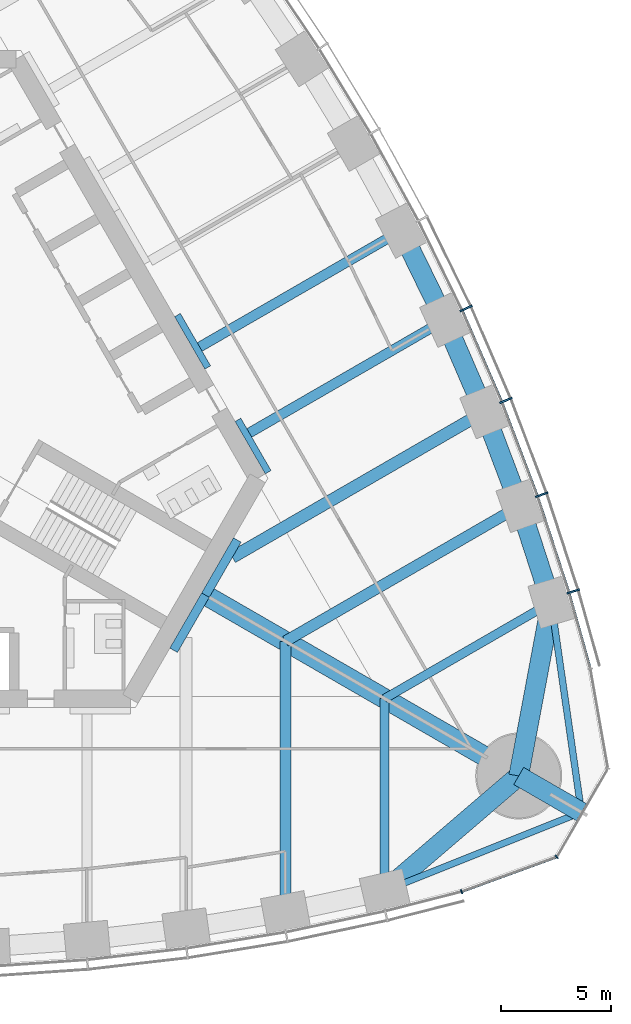
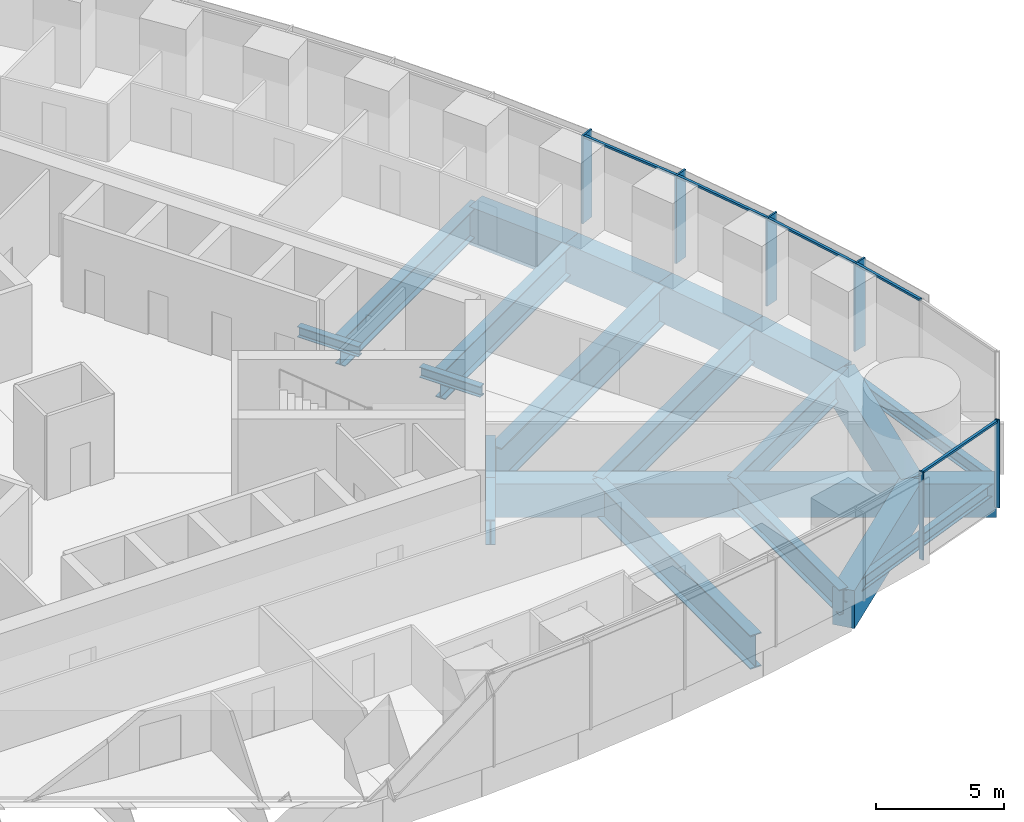
# One storey, part 4 of 19: 21 beams, 11 members, 2 elements without a shape of their own.
"""IFC4 building model written with IfcOpenShell, lengths in metres."""

from ifc_helpers import new_model, si_unit, direction, frame, origin, origin_2d, place, context, subcontext, project, spatial, rectangle, i_section, extrude, material, material_profile, profile_set, type_object, element, aggregate, save


model = new_model("IFC4")

# Units and contexts
model_context = context("Model", 3, precision=1e-05, world=origin(), true_north=direction((0.0, 1.0)))
body_context = subcontext(model_context, "Body", "Model", "MODEL_VIEW")
ifc_project = project(units=[si_unit("LENGTHUNIT", "METRE"), si_unit("AREAUNIT", "SQUARE_METRE"), si_unit("VOLUMEUNIT", "CUBIC_METRE"), si_unit("PLANEANGLEUNIT", "RADIAN"), si_unit("MASSUNIT", "GRAM", prefix="KILO")], contexts=[model_context])

# Site, building, storey
site_placement = place(None, origin())
site = spatial("IfcSite", under=ifc_project, at=site_placement, CompositionType="ELEMENT")
building_placement = place(site_placement, origin())
building = spatial("IfcBuilding", under=site, at=building_placement, Name="Trefoil Bronze Tower", CompositionType="ELEMENT")
storey_placement = place(building_placement, frame((0.0, 0.0, 193.89990234375)))
storey = spatial("IfcBuildingStorey", under=building, at=storey_placement, Name="L44", CompositionType="ELEMENT", Elevation=193.89990234375)

# Curtain wall, members
ifc_material_1 = material(Name="Tinted solar-control glass", Category="glass")
curtain_wall_type_1 = type_object("IfcCurtainWallType", Name="Bronze office curtain wall", PredefinedType="USERDEFINED", material=ifc_material_1)
curtain_wall_1_placement = place(storey_placement, origin())
curtain_wall_1 = element("IfcCurtainWall", 1, at=curtain_wall_1_placement, inside=storey, type_object=curtain_wall_type_1, Name="CW-A L44 F2", ObjectType="CURTAIN WALL", PredefinedType="USERDEFINED")
ifc_material_2 = material(Name="Bronze-finish aluminium", Category="aluminium")
ifc_material_profile_1 = material_profile(ifc_material_2, rectangle(XDim=0.60009765625, YDim=0.080078125, at=origin_2d()), Name="CW-A mullion")
ifc_profile_set_1 = profile_set([ifc_material_profile_1], Name="Bronze-finish aluminium")
member_type_1 = type_object("IfcMemberType", Name="Bronze office curtain wall mullion", PredefinedType="MULLION", material=ifc_profile_set_1)
member_1_placement = place(storey_placement, frame((31.05029296875, -8.132568359375, 0.0), z_axis=(0.0, 0.0, 1.0), x_axis=(-0.95694224323, -0.290278389002, 0.0)))
member_1 = element("IfcMember", 2, at=member_1_placement, type_object=member_type_1, Name="CW-A L44 F2 mullion 2", PredefinedType="MULLION", context=body_context, shape_type="SweptSolid", body=[
    extrude(rectangle(XDim=0.60009765625, YDim=0.080078125, at=origin_2d()), origin(), (0.0, 0.0, 1.0), 4.18017578125),
])
member_2_placement = place(storey_placement, frame((29.619873046875, -3.747314453125, 0.0), z_axis=(0.0, 0.0, 1.0), x_axis=(-0.943180077746, -0.332282020191, 0.0)))
member_2 = element("IfcMember", 3, at=member_2_placement, type_object=member_type_1, Name="CW-A L44 F2 mullion 3", PredefinedType="MULLION", context=body_context, shape_type="SweptSolid", body=[
    extrude(rectangle(XDim=0.60009765625, YDim=0.080078125, at=origin_2d()), origin(), (0.0, 0.0, 1.0), 4.18017578125),
])
member_3_placement = place(storey_placement, frame((27.999755859375, 0.529541015625, 0.0), z_axis=(0.0, 0.0, 1.0), x_axis=(-0.926689348282, -0.375828221106, 0.0)))
member_3 = element("IfcMember", 4, at=member_3_placement, type_object=member_type_1, Name="CW-A L44 F2 mullion 4", PredefinedType="MULLION", context=body_context, shape_type="SweptSolid", body=[
    extrude(rectangle(XDim=0.60009765625, YDim=0.080078125, at=origin_2d()), origin(), (0.0, 0.0, 1.0), 4.18017578125),
])
member_4_placement = place(storey_placement, frame((26.19482421875, 4.699462890625, 0.0), z_axis=(0.0, 0.0, 1.0), x_axis=(-0.908315380354, -0.418285990457, 0.0)))
member_4 = element("IfcMember", 5, at=member_4_placement, type_object=member_type_1, Name="CW-A L44 F2 mullion 5", PredefinedType="MULLION", context=body_context, shape_type="SweptSolid", body=[
    extrude(rectangle(XDim=0.60009765625, YDim=0.080078125, at=origin_2d()), origin(), (0.0, 0.0, 1.0), 4.18017578125),
])
ifc_material_3 = material(Name="Bronze-finish aluminium", Category="aluminium")
ifc_material_profile_2 = material_profile(ifc_material_3, rectangle(XDim=0.1201171875, YDim=0.10009765625, at=origin_2d()), Name="CW-A transom")
ifc_profile_set_2 = profile_set([ifc_material_profile_2], Name="Bronze-finish aluminium")
member_type_2 = type_object("IfcMemberType", Name="Bronze office curtain wall transom", PredefinedType="USERDEFINED", material=ifc_profile_set_2)
member_5_placement = place(storey_placement, frame((31.81201171875, -11.585205078125, 4.130126953125), z_axis=(-0.270284880437, 0.962780392097, 0.0), x_axis=(-0.962780392097, -0.270284880437, 0.0)))
member_5 = element("IfcMember", 6, at=member_5_placement, type_object=member_type_2, Name="CW-A L44 F2 transom 1", ObjectType="TRANSOM", PredefinedType="USERDEFINED", context=body_context, shape_type="SweptSolid", body=[
    extrude(rectangle(XDim=0.1201171875, YDim=0.10009765625, at=origin_2d()), origin(), (0.0, 0.0, 1.0), 3.48388671875),
])
member_6_placement = place(storey_placement, frame((30.845947265625, -8.150634765625, 4.130126953125), z_axis=(-0.310127806788, 0.950694874004, 0.0), x_axis=(-0.950694874004, -0.310127806788, 0.0)))
member_6 = element("IfcMember", 7, at=member_6_placement, type_object=member_type_2, Name="CW-A L44 F2 transom 2", ObjectType="TRANSOM", PredefinedType="USERDEFINED", context=body_context, shape_type="SweptSolid", body=[
    extrude(rectangle(XDim=0.1201171875, YDim=0.10009765625, at=origin_2d()), origin(), (0.0, 0.0, 1.0), 4.51953125),
])
member_7_placement = place(storey_placement, frame((29.416259765625, -3.774169921875, 4.130126953125), z_axis=(-0.354263170896, 0.935145767112, 0.0), x_axis=(-0.935145767112, -0.354263170896, 0.0)))
member_7 = element("IfcMember", 8, at=member_7_placement, type_object=member_type_2, Name="CW-A L44 F2 transom 3", ObjectType="TRANSOM", PredefinedType="USERDEFINED", context=body_context, shape_type="SweptSolid", body=[
    extrude(rectangle(XDim=0.1201171875, YDim=0.10009765625, at=origin_2d()), origin(), (0.0, 0.0, 1.0), 4.4794921875),
])
member_8_placement = place(storey_placement, frame((27.797607421875, 0.4931640625, 4.130126953125), z_axis=(-0.397220936772, 0.917723012346, 0.0), x_axis=(-0.917723012346, -0.397220936772, 0.0)))
member_8 = element("IfcMember", 9, at=member_8_placement, type_object=member_type_2, Name="CW-A L44 F2 transom 4", ObjectType="TRANSOM", PredefinedType="USERDEFINED", context=body_context, shape_type="SweptSolid", body=[
    extrude(rectangle(XDim=0.1201171875, YDim=0.10009765625, at=origin_2d()), origin(), (0.0, 0.0, 1.0), 4.449951171875),
])
aggregate(curtain_wall_1, [member_1, member_2, member_3, member_4, member_5, member_6, member_7, member_8])

ifc_material_4 = material(Name="Tinted solar-control glass", Category="glass")
curtain_wall_type_2 = type_object("IfcCurtainWallType", Name="Bronze rounded corner curtain wall", PredefinedType="USERDEFINED", material=ifc_material_4)
curtain_wall_2_placement = place(storey_placement, origin())
curtain_wall_2 = element("IfcCurtainWall", 10, at=curtain_wall_2_placement, inside=storey, type_object=curtain_wall_type_2, Name="CW-B L44 K1", ObjectType="CURTAIN WALL", PredefinedType="USERDEFINED")
ifc_material_5 = material(Name="Bronze-finish aluminium", Category="aluminium")
ifc_material_profile_3 = material_profile(ifc_material_5, rectangle(XDim=0.199951171875, YDim=0.06005859375, at=origin_2d()), Name="CW-B mullion")
ifc_profile_set_3 = profile_set([ifc_material_profile_3], Name="Bronze-finish aluminium")
member_type_3 = type_object("IfcMemberType", Name="Bronze rounded corner curtain wall mullion", PredefinedType="MULLION", material=ifc_profile_set_3)
member_9_placement = place(storey_placement, frame((25.9873046875, -21.74462890625, 0.0), z_axis=(0.0, 0.0, 1.0), x_axis=(-0.342020143326, 0.939692620786, 0.0)))
member_9 = element("IfcMember", 11, at=member_9_placement, type_object=member_type_3, Name="CW-B L44 K1 mullion 1", PredefinedType="MULLION", context=body_context, shape_type="SweptSolid", body=[
    extrude(rectangle(XDim=0.199951171875, YDim=0.06005859375, at=origin_2d()), origin(), (0.0, 0.0, 1.0), 4.18017578125),
])
member_10_placement = place(storey_placement, frame((30.302490234375, -20.16748046875, 0.0), z_axis=(0.0, 0.0, 1.0), x_axis=(-0.642787609687, 0.766044443119, 0.0)))
member_10 = element("IfcMember", 12, at=member_10_placement, type_object=member_type_3, Name="CW-B L44 K1 mullion 2", PredefinedType="MULLION", context=body_context, shape_type="SweptSolid", body=[
    extrude(rectangle(XDim=0.199951171875, YDim=0.06005859375, at=origin_2d()), origin(), (0.0, 0.0, 1.0), 4.18017578125),
])
ifc_material_6 = material(Name="Bronze-finish aluminium", Category="aluminium")
ifc_material_profile_4 = material_profile(ifc_material_6, rectangle(XDim=0.1201171875, YDim=0.10009765625, at=origin_2d()), Name="CW-B transom")
ifc_profile_set_4 = profile_set([ifc_material_profile_4], Name="Bronze-finish aluminium")
member_type_4 = type_object("IfcMemberType", Name="Bronze rounded corner curtain wall transom", PredefinedType="USERDEFINED", material=ifc_profile_set_4)
member_11_placement = place(storey_placement, frame((26.015380859375, -21.734375, 4.130126953125), z_axis=(0.939680910753, 0.342052314664, 0.0), x_axis=(-0.342052314664, 0.939680910753, 0.0)))
member_11 = element("IfcMember", 13, at=member_11_placement, type_object=member_type_4, Name="CW-B L44 K1 transom 1", ObjectType="TRANSOM", PredefinedType="USERDEFINED", context=body_context, shape_type="SweptSolid", body=[
    extrude(rectangle(XDim=0.1201171875, YDim=0.10009765625, at=origin_2d()), origin(), (0.0, 0.0, 1.0), 4.500244140625),
])
aggregate(curtain_wall_2, [member_9, member_10, member_11])

# Beams
ifc_material_7 = material(Name="Steel C355", Category="steel")
ifc_material_profile_5 = material_profile(ifc_material_7, i_section(OverallWidth=0.300048828125, OverallDepth=0.5, WebThickness=0.014404296875, FlangeThickness=0.028076171875, FilletRadius=0.027099609375, at=origin_2d()), Name="HEB 500")
ifc_profile_set_5 = profile_set([ifc_material_profile_5], Name="Steel C355")
beam_type_1 = type_object("IfcBeamType", Name="Core seat beam HEB 500", PredefinedType="BEAM", material=ifc_profile_set_5)
for number, where, z_axis, x_axis, name in (
    (14, (17.219482421875, -2.72509765625, -0.449951171875), (-0.500035825175, 0.866004719122, 0.0), (-0.866004719122, -0.500035825175, 0.0), "Core seat beam F2/-2 L44"),
    (15, (14.47705078125, 2.02490234375, -0.449951171875), (-0.499969057507, 0.866043267704, 0.0), (-0.866043267704, -0.499969057507, 0.0), "Core seat beam F2/-1 L44"),
):
    element("IfcBeam", number, at=place(storey_placement, frame(where, z_axis=z_axis, x_axis=x_axis)), inside=storey, type_object=beam_type_1, Name=name, PredefinedType="BEAM", context=body_context, shape_type="SweptSolid", body=[
        extrude(i_section(OverallWidth=0.300048828125, OverallDepth=0.5, WebThickness=0.014404296875, FlangeThickness=0.028076171875, FilletRadius=0.027099609375, at=origin_2d()), origin(), (0.0, 0.0, 1.0), 2.742431640625),
    ])
ifc_material_8 = material(Name="Steel C355", Category="steel")
ifc_material_profile_6 = material_profile(ifc_material_8, i_section(OverallWidth=0.39990234375, OverallDepth=1.199951171875, WebThickness=0.02001953125, FlangeThickness=0.0400390625, FilletRadius=0.010009765625, at=origin_2d()), Name="WPG 1200")
ifc_profile_set_6 = profile_set([ifc_material_profile_6], Name="Steel C355")
beam_type_2 = type_object("IfcBeamType", Name="Core seat beam WPG 1200", PredefinedType="BEAM", material=ifc_profile_set_6)
for number, where, z_axis, x_axis, name in (
    (16, (12.9326171875, -10.800048828125, -0.7998046875), (0.499995765644, 0.866027848477, 0.0), (-0.866027848477, 0.499995765644, 0.0), "Core seat beam F1/+3 L44"),
    (17, (14.3759765625, -8.300048828125, -0.7998046875), (0.499995765644, 0.866027848477, 0.0), (-0.866027848477, 0.499995765644, 0.0), "Core seat beam F2/-3 L44"),
):
    element("IfcBeam", number, at=place(storey_placement, frame(where, z_axis=z_axis, x_axis=x_axis)), inside=storey, type_object=beam_type_2, Name=name, PredefinedType="BEAM", context=body_context, shape_type="SweptSolid", body=[
        extrude(i_section(OverallWidth=0.39990234375, OverallDepth=1.199951171875, WebThickness=0.02001953125, FlangeThickness=0.0400390625, FilletRadius=0.010009765625, at=origin_2d()), origin(), (0.0, 0.0, 1.0), 2.88671875),
    ])
ifc_material_9 = material(Name="Concrete B80", Category="concrete")
ifc_material_profile_7 = material_profile(ifc_material_9, rectangle(XDim=0.89990234375, YDim=1.60009765625, at=origin_2d()), Name="RC 900x1600")
ifc_profile_set_7 = profile_set([ifc_material_profile_7], Name="Concrete B80")
beam_type_3 = type_object("IfcBeamType", Name="Corner cantilever RC 900x1600", PredefinedType="BEAM", material=ifc_profile_set_7)
beam_1_placement = place(storey_placement, frame((28.578857421875, -16.5, -1.0), z_axis=(0.866016004958, -0.500016278891, 0.0), x_axis=(0.500016278891, 0.866016004958, 0.0)))
element("IfcBeam", 18, at=beam_1_placement, inside=storey, type_object=beam_type_3, Name="Corner cantilever K1 L44", PredefinedType="BEAM", context=body_context, shape_type="SweptSolid", body=[
    extrude(rectangle(XDim=0.89990234375, YDim=1.60009765625, at=origin_2d()), origin(), (0.0, 0.0, 1.0), 3.28466796875),
])
ifc_material_10 = material(Name="Steel C355", Category="steel")
ifc_material_profile_8 = material_profile(ifc_material_10, i_section(OverallWidth=0.300048828125, OverallDepth=0.60009765625, WebThickness=0.015380859375, FlangeThickness=0.030029296875, FilletRadius=0.027099609375, at=origin_2d()), Name="HEB 600")
ifc_profile_set_8 = profile_set([ifc_material_profile_8], Name="Steel C355")
beam_type_4 = type_object("IfcBeamType", Name="Corner edge beam HEB 600", PredefinedType="BEAM", material=ifc_profile_set_8)
for number, where, z_axis, x_axis, name in (
    (19, (22.5, -21.71044921875, -0.5), (0.92852048463, 0.371281173266, 0.0), (-0.371281173266, 0.92852048463, 0.0), "Corner edge beam F1A L44"),
    (20, (30.052001953125, -8.63037109375, -0.5), (0.142694489722, -0.989766781925, 0.0), (0.989766781925, 0.142694489722, 0.0), "Corner edge beam F2B L44"),
):
    element("IfcBeam", number, at=place(storey_placement, frame(where, z_axis=z_axis, x_axis=x_axis)), inside=storey, type_object=beam_type_4, Name=name, PredefinedType="BEAM", context=body_context, shape_type="SweptSolid", body=[
        extrude(i_section(OverallWidth=0.300048828125, OverallDepth=0.60009765625, WebThickness=0.015380859375, FlangeThickness=0.030029296875, FilletRadius=0.027099609375, at=origin_2d()), origin(), (0.0, 0.0, 1.0), 9.6103515625),
    ])
ifc_material_11 = material(Name="Concrete B80", Category="concrete")
ifc_material_profile_9 = material_profile(ifc_material_11, rectangle(XDim=0.89990234375, YDim=1.60009765625, at=origin_2d()), Name="RC 900x1600")
ifc_profile_set_9 = profile_set([ifc_material_profile_9], Name="Concrete B80")
beam_type_5 = type_object("IfcBeamType", Name="Corner girder RC 900x1600", PredefinedType="BEAM", material=ifc_profile_set_9)
beam_2_placement = place(storey_placement, frame((14.202880859375, -8.199951171875, -1.0), z_axis=(0.866023450265, -0.500003383579, 0.0), x_axis=(0.500003383579, 0.866023450265, 0.0)))
element("IfcBeam", 21, at=beam_2_placement, inside=storey, type_object=beam_type_5, Name="Corner girder K1 L44", PredefinedType="BEAM", context=body_context, shape_type="SweptSolid", body=[
    extrude(rectangle(XDim=0.89990234375, YDim=1.60009765625, at=origin_2d()), origin(), (0.0, 0.0, 1.0), 16.60009765625),
])
ifc_material_12 = material(Name="Concrete B80", Category="concrete")
ifc_material_profile_10 = material_profile(ifc_material_12, rectangle(XDim=0.89990234375, YDim=1.800048828125, at=origin_2d()), Name="RC 900x1800")
ifc_profile_set_10 = profile_set([ifc_material_profile_10], Name="Concrete B80")
beam_type_6 = type_object("IfcBeamType", Name="End spandrel beam RC 900x1800", PredefinedType="SPANDREL", material=ifc_profile_set_10)
for number, where, z_axis, x_axis, name in (
    (22, (22.5, -21.71044921875, -1.099853515625), (0.759256602365, 0.650791373456, 0.0), (-0.650791373456, 0.759256602365, 0.0), "Spandrel F1.12 L44"),
    (23, (28.578857421875, -16.5, -1.099853515625), (0.18399763073, 0.982926686933, 0.0), (-0.982926686933, 0.18399763073, 0.0), "Spandrel F2.1 L44"),
):
    element("IfcBeam", number, at=place(storey_placement, frame(where, z_axis=z_axis, x_axis=x_axis)), inside=storey, type_object=beam_type_6, Name=name, PredefinedType="SPANDREL", context=body_context, shape_type="SweptSolid", body=[
        extrude(rectangle(XDim=0.89990234375, YDim=1.800048828125, at=origin_2d()), origin(), (0.0, 0.0, 1.0), 8.00634765625),
    ])
ifc_material_13 = material(Name="Steel C355", Category="steel")
ifc_material_profile_11 = material_profile(ifc_material_13, i_section(OverallWidth=0.39990234375, OverallDepth=1.199951171875, WebThickness=0.02001953125, FlangeThickness=0.0400390625, FilletRadius=0.010009765625, at=origin_2d()), Name="WPG 1200")
ifc_profile_set_11 = profile_set([ifc_material_profile_11], Name="Steel C355")
beam_type_7 = type_object("IfcBeamType", Name="Floor beam WPG 1200", PredefinedType="BEAM", material=ifc_profile_set_11)
beam_3_placement = place(storey_placement, frame((22.5, -21.71044921875, -0.7998046875), z_axis=(0.0, 1.0, 0.0), x_axis=(-1.0, 0.0, 0.0)))
element("IfcBeam", 24, at=beam_3_placement, inside=storey, type_object=beam_type_7, Name="Floor beam F1/+5 L44", PredefinedType="BEAM", context=body_context, shape_type="SweptSolid", body=[
    extrude(i_section(OverallWidth=0.39990234375, OverallDepth=1.199951171875, WebThickness=0.02001953125, FlangeThickness=0.0400390625, FilletRadius=0.010009765625, at=origin_2d()), origin(), (0.0, 0.0, 1.0), 8.719970703125),
])
beam_4_placement = place(storey_placement, frame((30.052001953125, -8.63037109375, -0.7998046875), z_axis=(-0.866027535932, -0.499996306993, 0.0), x_axis=(0.499996306993, -0.866027535932, 0.0)))
element("IfcBeam", 25, at=beam_4_placement, inside=storey, type_object=beam_type_7, Name="Floor beam F2/-5 L44", PredefinedType="BEAM", context=body_context, shape_type="SweptSolid", body=[
    extrude(i_section(OverallWidth=0.39990234375, OverallDepth=1.199951171875, WebThickness=0.02001953125, FlangeThickness=0.0400390625, FilletRadius=0.010009765625, at=origin_2d()), origin(), (0.0, 0.0, 1.0), 8.72021484375),
])
ifc_material_14 = material(Name="Steel C355", Category="steel")
ifc_material_profile_12 = material_profile(ifc_material_14, i_section(OverallWidth=0.449951171875, OverallDepth=1.39990234375, WebThickness=0.02294921875, FlangeThickness=0.044921875, FilletRadius=0.011962890625, at=origin_2d()), Name="WPG 1400")
ifc_profile_set_12 = profile_set([ifc_material_profile_12], Name="Steel C355")
beam_type_8 = type_object("IfcBeamType", Name="Floor beam WPG 1400", PredefinedType="BEAM", material=ifc_profile_set_12)
beam_5_placement = place(storey_placement, frame((25.2265625, 4.17236328125, -0.89990234375), z_axis=(-0.866017525653, -0.500013645076, 0.0), x_axis=(0.500013645076, -0.866017525653, 0.0)))
element("IfcBeam", 26, at=beam_5_placement, inside=storey, type_object=beam_type_8, Name="Floor beam F2/-2 L44", PredefinedType="BEAM", context=body_context, shape_type="SweptSolid", body=[
    extrude(i_section(OverallWidth=0.449951171875, OverallDepth=1.39990234375, WebThickness=0.02294921875, FlangeThickness=0.044921875, FilletRadius=0.011962890625, at=origin_2d()), origin(), (0.0, 0.0, 1.0), 10.233154296875),
])
beam_6_placement = place(storey_placement, frame((23.248046875, 8.22607421875, -0.89990234375), z_axis=(-0.866027918957, -0.499995643569, 0.0), x_axis=(0.499995643569, -0.866027918957, 0.0)))
element("IfcBeam", 27, at=beam_6_placement, inside=storey, type_object=beam_type_8, Name="Floor beam F2/-1 L44", PredefinedType="BEAM", context=body_context, shape_type="SweptSolid", body=[
    extrude(i_section(OverallWidth=0.449951171875, OverallDepth=1.39990234375, WebThickness=0.02294921875, FlangeThickness=0.044921875, FilletRadius=0.011962890625, at=origin_2d()), origin(), (0.0, 0.0, 1.0), 10.54638671875),
])
ifc_material_15 = material(Name="Steel C355", Category="steel")
ifc_material_profile_13 = material_profile(ifc_material_15, i_section(OverallWidth=0.5, OverallDepth=1.60009765625, WebThickness=0.02587890625, FlangeThickness=0.050048828125, FilletRadius=0.011962890625, at=origin_2d()), Name="WPG 1600")
ifc_profile_set_13 = profile_set([ifc_material_profile_13], Name="Steel C355")
beam_type_9 = type_object("IfcBeamType", Name="Floor beam WPG 1600", PredefinedType="BEAM", material=ifc_profile_set_13)
beam_7_placement = place(storey_placement, frame((18.0, -22.6689453125, -1.0), z_axis=(0.0, 1.0, 0.0), x_axis=(-1.0, 0.0, 0.0)))
element("IfcBeam", 28, at=beam_7_placement, inside=storey, type_object=beam_type_9, Name="Floor beam F1/+4 L44", PredefinedType="BEAM", context=body_context, shape_type="SweptSolid", body=[
    extrude(i_section(OverallWidth=0.5, OverallDepth=1.60009765625, WebThickness=0.02587890625, FlangeThickness=0.050048828125, FilletRadius=0.011962890625, at=origin_2d()), origin(), (0.0, 0.0, 1.0), 12.276611328125),
])
beam_8_placement = place(storey_placement, frame((28.632080078125, -4.25390625, -1.0), z_axis=(-0.866025635187, -0.499999599199, 0.0), x_axis=(0.499999599199, -0.866025635187, 0.0)))
element("IfcBeam", 29, at=beam_8_placement, inside=storey, type_object=beam_type_9, Name="Floor beam F2/-4 L44", PredefinedType="BEAM", context=body_context, shape_type="SweptSolid", body=[
    extrude(i_section(OverallWidth=0.5, OverallDepth=1.60009765625, WebThickness=0.02587890625, FlangeThickness=0.050048828125, FilletRadius=0.011962890625, at=origin_2d()), origin(), (0.0, 0.0, 1.0), 12.27685546875),
])
ifc_material_16 = material(Name="Steel C355", Category="steel")
ifc_material_profile_14 = material_profile(ifc_material_16, i_section(OverallWidth=0.550048828125, OverallDepth=1.800048828125, WebThickness=0.029052734375, FlangeThickness=0.054931640625, FilletRadius=0.013916015625, at=origin_2d()), Name="WPG 1800")
ifc_profile_set_14 = profile_set([ifc_material_profile_14], Name="Steel C355")
beam_type_10 = type_object("IfcBeamType", Name="Floor beam WPG 1800", PredefinedType="BEAM", material=ifc_profile_set_14)
beam_9_placement = place(storey_placement, frame((27.022216796875, 0.012939453125, -1.099853515625), z_axis=(-0.866020385251, -0.500008692254, 0.0), x_axis=(0.500008692254, -0.866020385251, 0.0)))
element("IfcBeam", 30, at=beam_9_placement, inside=storey, type_object=beam_type_10, Name="Floor beam F2/-3 L44", PredefinedType="BEAM", context=body_context, shape_type="SweptSolid", body=[
    extrude(i_section(OverallWidth=0.550048828125, OverallDepth=1.800048828125, WebThickness=0.029052734375, FlangeThickness=0.054931640625, FilletRadius=0.013916015625, at=origin_2d()), origin(), (0.0, 0.0, 1.0), 13.191162109375),
])
ifc_material_17 = material(Name="Concrete B80", Category="concrete")
ifc_material_profile_15 = material_profile(ifc_material_17, rectangle(XDim=0.89990234375, YDim=1.800048828125, at=origin_2d()), Name="RC 900x1800")
ifc_profile_set_15 = profile_set([ifc_material_profile_15], Name="Concrete B80")
beam_type_11 = type_object("IfcBeamType", Name="Spandrel beam RC 900x1800", PredefinedType="SPANDREL", material=ifc_profile_set_15)
beam_10_placement = place(storey_placement, frame((30.052001953125, -8.63037109375, -1.099853515625), z_axis=(-0.308608505504, 0.951189145402, 0.0), x_axis=(-0.951189145402, -0.308608505504, 0.0)))
element("IfcBeam", 31, at=beam_10_placement, inside=storey, type_object=beam_type_11, Name="Spandrel F2.2 L44", PredefinedType="SPANDREL", context=body_context, shape_type="SweptSolid", body=[
    extrude(rectangle(XDim=0.89990234375, YDim=1.800048828125, at=origin_2d()), origin(), (0.0, 0.0, 1.0), 4.60107421875),
])
beam_11_placement = place(storey_placement, frame((28.632080078125, -4.25390625, -1.099853515625), z_axis=(-0.353005969632, 0.935621069346, 0.0), x_axis=(-0.935621069346, -0.353005969632, 0.0)))
element("IfcBeam", 32, at=beam_11_placement, inside=storey, type_object=beam_type_11, Name="Spandrel F2.3 L44", PredefinedType="SPANDREL", context=body_context, shape_type="SweptSolid", body=[
    extrude(rectangle(XDim=0.89990234375, YDim=1.800048828125, at=origin_2d()), origin(), (0.0, 0.0, 1.0), 4.560546875),
])
beam_12_placement = place(storey_placement, frame((27.022216796875, 0.012939453125, -1.099853515625), z_axis=(-0.396350337164, 0.918099346602, 0.0), x_axis=(-0.918099346602, -0.396350337164, 0.0)))
element("IfcBeam", 33, at=beam_12_placement, inside=storey, type_object=beam_type_11, Name="Spandrel F2.4 L44", PredefinedType="SPANDREL", context=body_context, shape_type="SweptSolid", body=[
    extrude(rectangle(XDim=0.89990234375, YDim=1.800048828125, at=origin_2d()), origin(), (0.0, 0.0, 1.0), 4.530517578125),
])
beam_13_placement = place(storey_placement, frame((25.2265625, 4.17236328125, -1.099853515625), z_axis=(-0.438619830351, 0.898672712629, 0.0), x_axis=(-0.898672712629, -0.438619830351, 0.0)))
element("IfcBeam", 34, at=beam_13_placement, inside=storey, type_object=beam_type_11, Name="Spandrel F2.5 L44", PredefinedType="SPANDREL", context=body_context, shape_type="SweptSolid", body=[
    extrude(rectangle(XDim=0.89990234375, YDim=1.800048828125, at=origin_2d()), origin(), (0.0, 0.0, 1.0), 4.5107421875),
])

save(model, "model.ifc")
